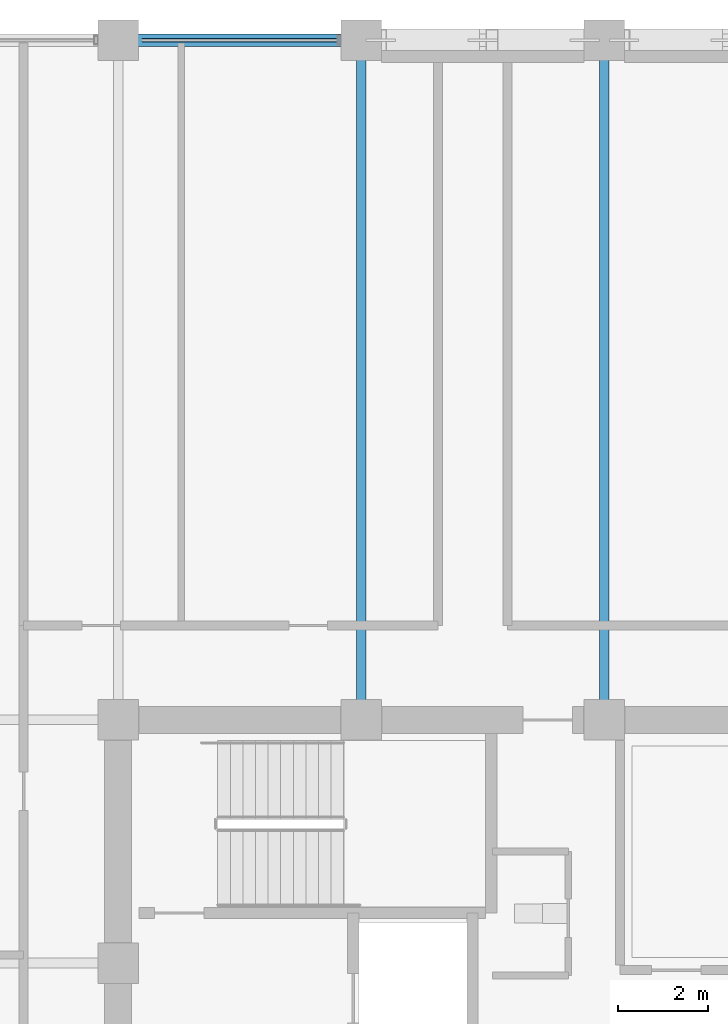
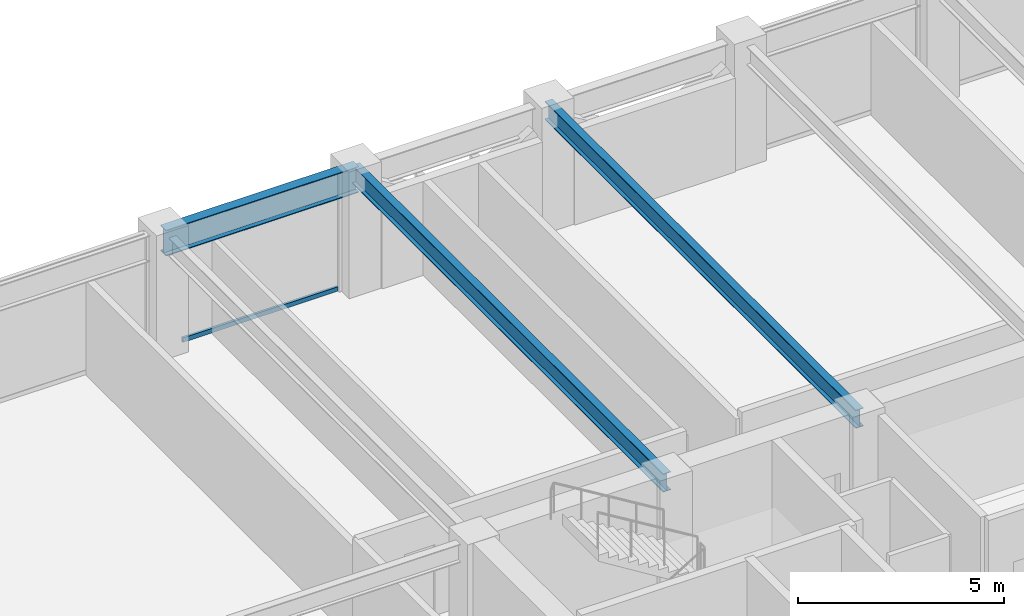
# One storey, part 20 of 32: 3 beams, 1 member, 1 element without a shape of its own.
"""IFC4 building model written with IfcOpenShell, lengths in metres."""

from ifc_helpers import new_model, si_unit, direction, frame, origin, origin_2d, place, context, subcontext, project, spatial, hollow_rectangle, i_section, extrude, material, layer, layer_set, material_profile, profile_set, type_object, element, aggregate, save


model = new_model("IFC4")

# Units and contexts
model_context = context("Model", 3, precision=1e-05, world=origin(), true_north=direction((0.0, 1.0)))
body_context = subcontext(model_context, "Body", "Model", "MODEL_VIEW")
ifc_project = project(units=[si_unit("LENGTHUNIT", "METRE"), si_unit("AREAUNIT", "SQUARE_METRE"), si_unit("VOLUMEUNIT", "CUBIC_METRE"), si_unit("PLANEANGLEUNIT", "RADIAN"), si_unit("MASSUNIT", "GRAM", prefix="KILO")], contexts=[model_context])

# Site, building, storey
site_placement = place(None, origin())
site = spatial("IfcSite", under=ifc_project, at=site_placement, CompositionType="ELEMENT")
building_placement = place(site_placement, origin())
building = spatial("IfcBuilding", under=site, at=building_placement, Name="Surkhivell Harbour Commons", CompositionType="ELEMENT")
storey_placement = place(building_placement, frame((0.0, 0.0, 212.25)))
storey = spatial("IfcBuildingStorey", under=building, at=storey_placement, Name="L55", CompositionType="ELEMENT", Elevation=212.25)

# Beams
ifc_material_1 = material(Name="Steel S355", Category="steel")
ifc_material_profile_1 = material_profile(ifc_material_1, i_section(OverallWidth=0.2119140625, OverallDepth=0.5439453125, WebThickness=0.0126953125, FlangeThickness=0.021240234375, at=origin_2d()), Name="UB533x210x122")
ifc_profile_set_1 = profile_set([ifc_material_profile_1], Name="Steel S355")
beam_type_1 = type_object("IfcBeamType", Name="BM-GRD-533A", PredefinedType="BEAM", material=ifc_profile_set_1)
for number, where, z_axis, x_axis, name in (
    (1, (-5.39990234375, 10.800048828125, 3.298095703125), (0.0, 1.0, 0.0), (-1.0, 0.0, 0.0), "L55 Floor Girder (-5.4,10.8)"),
    (2, (0.0, 10.800048828125, 3.298095703125), (0.0, 1.0, 0.0), (-1.0, 0.0, 0.0), "L55 Floor Girder (0.0,10.8)"),
):
    element("IfcBeam", number, at=place(storey_placement, frame(where, z_axis=z_axis, x_axis=x_axis)), inside=storey, type_object=beam_type_1, Name=name, PredefinedType="BEAM", context=body_context, shape_type="SweptSolid", body=[
        extrude(i_section(OverallWidth=0.2119140625, OverallDepth=0.5439453125, WebThickness=0.0126953125, FlangeThickness=0.021240234375, at=origin_2d()), origin(), (0.0, 0.0, 1.0), 15.099853515625),
    ])
ifc_material_profile_2 = material_profile(ifc_material_1, i_section(OverallWidth=0.26806640625, OverallDepth=0.77001953125, WebThickness=0.015625, FlangeThickness=0.025390625, at=origin_2d()), Name="UB762x267x197")
ifc_profile_set_2 = profile_set([ifc_material_profile_2], Name="Steel S355")
beam_type_2 = type_object("IfcBeamType", Name="BM-SPN-762", PredefinedType="SPANDREL", material=ifc_profile_set_2)
beam_placement = place(storey_placement, frame((-10.800048828125, 25.89990234375, 3.18505859375), z_axis=(1.0, 0.0, 0.0), x_axis=(0.0, 1.0, 0.0)))
element("IfcBeam", 3, at=beam_placement, inside=storey, type_object=beam_type_2, Name="L55 Tube Spandrel (-10.8,25.9)", PredefinedType="SPANDREL", context=body_context, shape_type="SweptSolid", body=[
    extrude(i_section(OverallWidth=0.26806640625, OverallDepth=0.77001953125, WebThickness=0.015625, FlangeThickness=0.025390625, at=origin_2d()), origin(), (0.0, 0.0, 1.0), 5.400146484375),
])

# Curtain wall, member
ifc_material_2 = material(Name="Anodised pale-metal aluminium and insulated glazing", Category="aluminium")
ifc_layer = layer(ifc_material_2, 0.18994140625)
ifc_layer_set = layer_set([ifc_layer], Name="Anodised pale-metal aluminium and insulated glazing")
curtain_wall_type = type_object("IfcCurtainWallType", Name="CW-SYS-Z3", PredefinedType="NOTDEFINED", material=ifc_layer_set)
curtain_wall_placement = place(storey_placement, origin())
curtain_wall = element("IfcCurtainWall", 4, at=curtain_wall_placement, inside=storey, type_object=curtain_wall_type, Name="L55 Curtain Wall CW-L55-E07S2", PredefinedType="NOTDEFINED")
ifc_material_3 = material(Name="Champagne anodised aluminium alloy 6063-T6", Category="aluminium")
ifc_material_profile_3 = material_profile(ifc_material_3, hollow_rectangle(XDim=0.070068359375, YDim=0.1298828125, WallThickness=0.00341796875, at=origin_2d()), Name="ALU-TRAN-70x130")
ifc_profile_set_3 = profile_set([ifc_material_profile_3], Name="Champagne anodised aluminium alloy 6063-T6")
member_type = type_object("IfcMemberType", Name="CWT-130", PredefinedType="USERDEFINED", material=ifc_profile_set_3)
member_placement = place(storey_placement, frame((-5.927001953125, 25.89990234375, 0.06494140625), z_axis=(-1.0, 0.0, 0.0), x_axis=(0.0, -1.0, 0.0)))
member = element("IfcMember", 5, at=member_placement, type_object=member_type, Name="CW-Z3 transom 1.1", ObjectType="TRANSOM", PredefinedType="USERDEFINED", context=body_context, shape_type="SweptSolid", body=[
    extrude(hollow_rectangle(XDim=0.070068359375, YDim=0.1298828125, WallThickness=0.00341796875, at=origin_2d()), origin(), (0.0, 0.0, 1.0), 4.345947265625),
])
aggregate(curtain_wall, [member])

save(model, "model.ifc")
